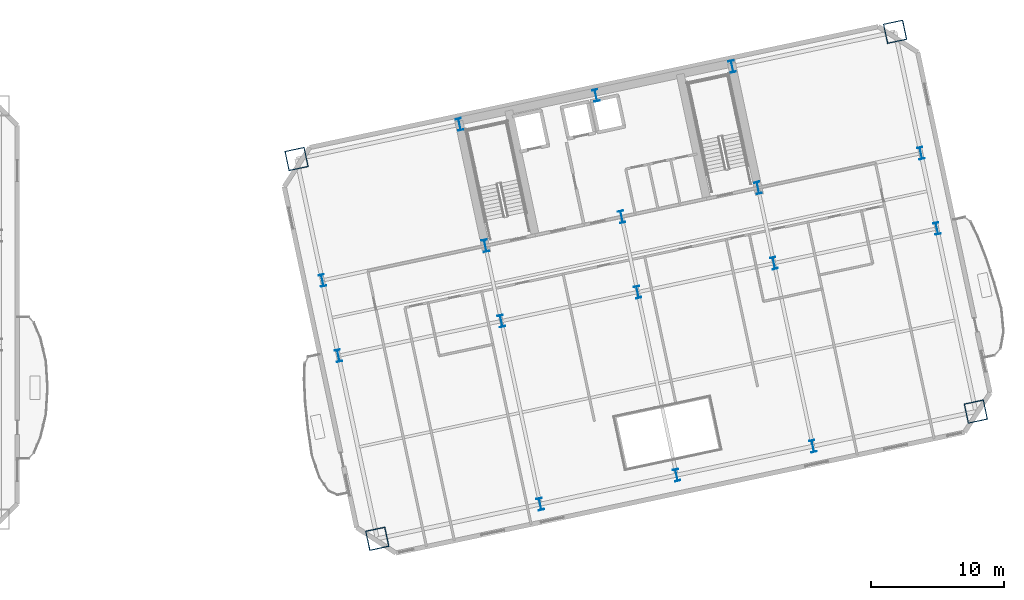
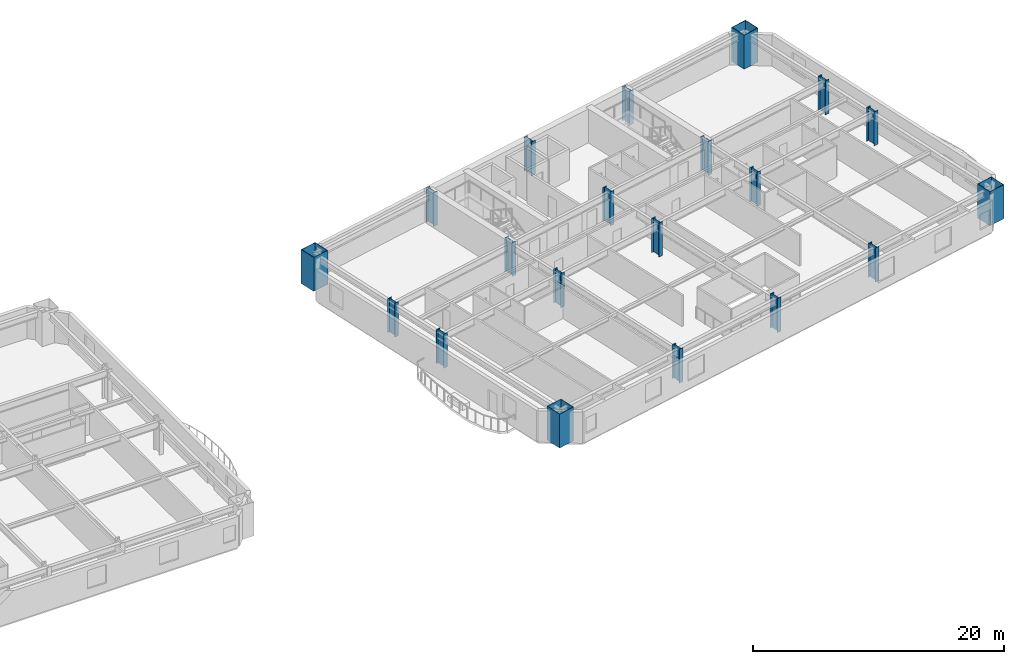
# One storey, part 2 of 16: 20 columns.
"""IFC4 building model written with IfcOpenShell, lengths in metres."""

from ifc_helpers import new_model, si_unit, direction, frame, origin, origin_2d, place, context, subcontext, project, spatial, hollow_rectangle, i_section, extrude, material, material_profile, profile_set, type_object, element, save


model = new_model("IFC4")

# Units and contexts
model_context = context("Model", 3, precision=1e-05, world=origin(), true_north=direction((0.0, 1.0)))
body_context = subcontext(model_context, "Body", "Model", "MODEL_VIEW")
ifc_project = project(units=[si_unit("LENGTHUNIT", "METRE"), si_unit("AREAUNIT", "SQUARE_METRE"), si_unit("VOLUMEUNIT", "CUBIC_METRE"), si_unit("PLANEANGLEUNIT", "RADIAN"), si_unit("MASSUNIT", "GRAM", prefix="KILO")], contexts=[model_context])

# Site, building, storey
site_placement = place(None, origin())
site = spatial("IfcSite", under=ifc_project, at=site_placement, CompositionType="ELEMENT")
building_placement = place(site_placement, origin())
building = spatial("IfcBuilding", under=site, at=building_placement, Name="Haevon Station Towers", CompositionType="ELEMENT")
storey_placement = place(building_placement, frame((0.0, 0.0, 57.0)))
storey = spatial("IfcBuildingStorey", under=building, at=storey_placement, Name="L14", CompositionType="ELEMENT", Elevation=57.0)

# Columns
ifc_material = material(Name="Steel S460", Category="steel")
ifc_material_profile_1 = material_profile(ifc_material, hollow_rectangle(XDim=1.5, YDim=1.5, WallThickness=0.0400390625, at=origin_2d()), Name="BOX-1500x1500x40")
ifc_profile_set_1 = profile_set([ifc_material_profile_1], Name="Steel S460")
column_type_1 = type_object("IfcColumnType", Name="COL-MC2", PredefinedType="COLUMN", material=ifc_profile_set_1)
for number, where, z_axis, x_axis, name in (
    (1, (90.614013671875, 15.367919921875, 0.0), (0.0, 0.0, 1.0), (0.978147600734, 0.207911690818, 0.0), "COL-T2-L14-01-01"),
    (2, (84.53271484375, 43.978759765625, 0.0), (0.0, 0.0, 1.0), (0.978147600734, 0.207911690818, 0.0), "COL-T2-L14-01-04"),
    (3, (135.70654296875, 24.95263671875, 0.0), (0.0, 0.0, 1.0), (0.978147600734, 0.207911690818, 0.0), "COL-T2-L14-05-01"),
    (4, (129.625244140625, 53.5634765625, 0.0), (0.0, 0.0, 1.0), (0.978147600734, 0.207911690818, 0.0), "COL-T2-L14-05-04"),
):
    element("IfcColumn", number, at=place(storey_placement, frame(where, z_axis=z_axis, x_axis=x_axis)), inside=storey, type_object=column_type_1, Name=name, PredefinedType="COLUMN", context=body_context, shape_type="SweptSolid", body=[
        extrude(hollow_rectangle(XDim=1.5, YDim=1.5, WallThickness=0.0400390625, at=origin_2d()), origin(), (0.0, 0.0, 1.0), 3.300048828125),
    ])
ifc_material_profile_2 = material_profile(ifc_material, i_section(OverallWidth=0.39990234375, OverallDepth=0.89990234375, WebThickness=0.02001953125, FlangeThickness=0.035888671875, at=origin_2d()), Name="H-900x400x20x36")
ifc_profile_set_2 = profile_set([ifc_material_profile_2], Name="Steel S460")
column_type_2 = type_object("IfcColumnType", Name="COL-TW1", PredefinedType="COLUMN", material=ifc_profile_set_2)
for number, where, z_axis, x_axis, name in (
    (5, (87.682373046875, 29.159912109375, 0.0), (0.0, 0.0, 1.0), (0.978147600734, 0.207911690818, 0.0), "COL-T2-L14-01-02"),
    (6, (86.4765625, 34.8330078125, 0.0), (0.0, 0.0, 1.0), (0.978147600734, 0.207911690818, 0.0), "COL-T2-L14-01-03"),
    (7, (102.889892578125, 17.977294921875, 0.0), (0.0, 0.0, 1.0), (0.978147600734, 0.207911690818, 0.0), "COL-T2-L14-02-01"),
    (8, (99.958251953125, 31.76904296875, 0.0), (0.0, 0.0, 1.0), (0.978147600734, 0.207911690818, 0.0), "COL-T2-L14-02-02"),
    (9, (98.75244140625, 37.4423828125, 0.0), (0.0, 0.0, 1.0), (0.978147600734, 0.207911690818, 0.0), "COL-T2-L14-02-03"),
    (10, (96.808349609375, 46.588134765625, 0.0), (0.0, 0.0, 1.0), (0.978147600734, 0.207911690818, 0.0), "COL-T2-L14-02-04"),
    (11, (113.160400390625, 20.160400390625, 0.0), (0.0, 0.0, 1.0), (0.978147600734, 0.207911690818, 0.0), "COL-T2-L14-03-01"),
    (12, (110.228759765625, 33.9521484375, 0.0), (0.0, 0.0, 1.0), (0.978147600734, 0.207911690818, 0.0), "COL-T2-L14-03-02"),
    (13, (109.02294921875, 39.62548828125, 0.0), (0.0, 0.0, 1.0), (0.978147600734, 0.207911690818, 0.0), "COL-T2-L14-03-03"),
    (14, (107.078857421875, 48.771240234375, 0.0), (0.0, 0.0, 1.0), (0.978147600734, 0.207911690818, 0.0), "COL-T2-L14-03-04"),
    (15, (123.430908203125, 22.343505859375, 0.0), (0.0, 0.0, 1.0), (0.978147600734, 0.207911690818, 0.0), "COL-T2-L14-04-01"),
    (16, (120.499267578125, 36.13525390625, 0.0), (0.0, 0.0, 1.0), (0.978147600734, 0.207911690818, 0.0), "COL-T2-L14-04-02"),
    (17, (119.29345703125, 41.80859375, 0.0), (0.0, 0.0, 1.0), (0.978147600734, 0.207911690818, 0.0), "COL-T2-L14-04-03"),
    (18, (117.349365234375, 50.954345703125, 0.0), (0.0, 0.0, 1.0), (0.978147600734, 0.207911690818, 0.0), "COL-T2-L14-04-04"),
    (19, (132.775146484375, 38.74462890625, 0.0), (0.0, 0.0, 1.0), (0.978147600734, 0.207911690818, 0.0), "COL-T2-L14-05-02"),
    (20, (131.569091796875, 44.41796875, 0.0), (0.0, 0.0, 1.0), (0.978147600734, 0.207911690818, 0.0), "COL-T2-L14-05-03"),
):
    element("IfcColumn", number, at=place(storey_placement, frame(where, z_axis=z_axis, x_axis=x_axis)), inside=storey, type_object=column_type_2, Name=name, PredefinedType="COLUMN", context=body_context, shape_type="SweptSolid", body=[
        extrude(i_section(OverallWidth=0.39990234375, OverallDepth=0.89990234375, WebThickness=0.02001953125, FlangeThickness=0.035888671875, at=origin_2d()), origin(), (0.0, 0.0, 1.0), 3.300048828125),
    ])

save(model, "model.ifc")
